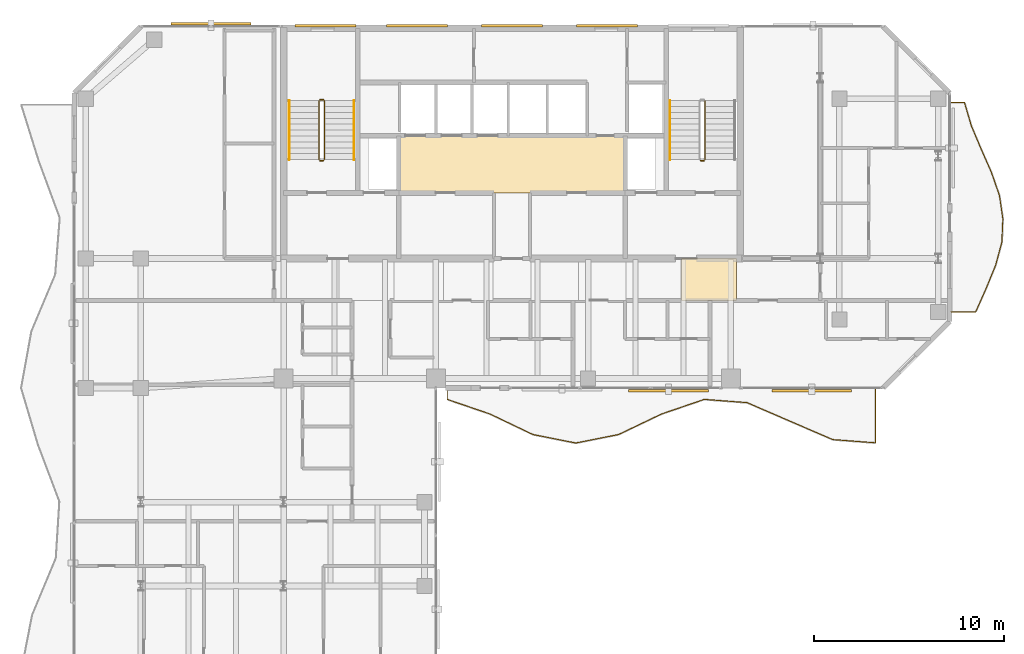
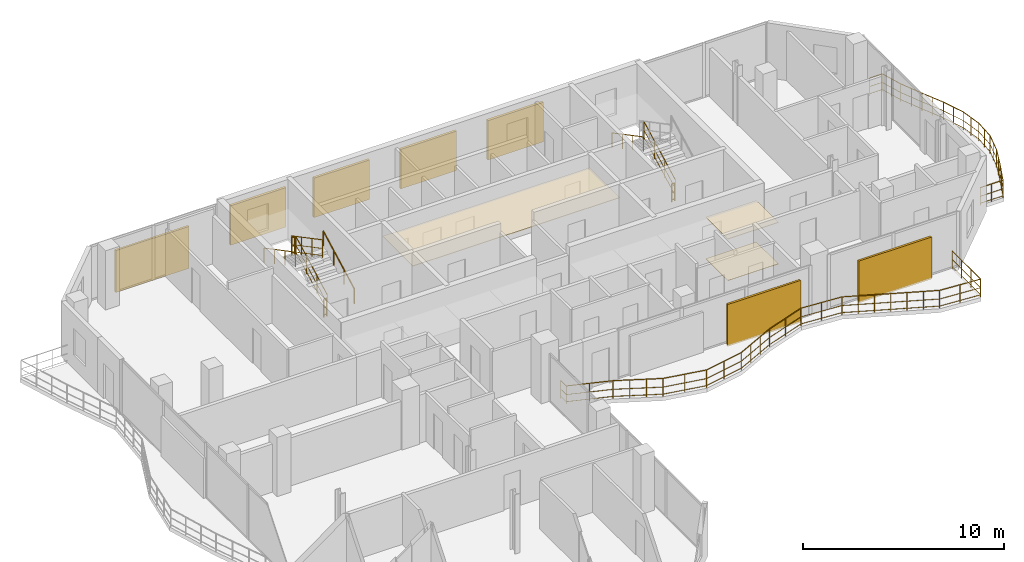
# One storey, part 22 of 23: 11 railings, 7 shading devices, 3 coverings.
"""IFC4 building model written with IfcOpenShell, lengths in metres."""

from ifc_helpers import new_model, si_unit, direction, frame, origin, origin_2d, place, context, subcontext, project, spatial, polyline, rectangle, circle, outline, extrude, material, layer, layer_set, type_object, element, save


model = new_model("IFC4")

# Units and contexts
model_context = context("Model", 3, precision=1e-05, world=origin(), true_north=direction((0.0, 1.0)))
body_context = subcontext(model_context, "Body", "Model", "MODEL_VIEW")
ifc_project = project(units=[si_unit("LENGTHUNIT", "METRE"), si_unit("AREAUNIT", "SQUARE_METRE"), si_unit("VOLUMEUNIT", "CUBIC_METRE"), si_unit("PLANEANGLEUNIT", "RADIAN"), si_unit("MASSUNIT", "GRAM", prefix="KILO")], contexts=[model_context])

# Site, building, storey
site_placement = place(None, origin())
site = spatial("IfcSite", under=ifc_project, at=site_placement, CompositionType="ELEMENT")
building_placement = place(site_placement, origin())
building = spatial("IfcBuilding", under=site, at=building_placement, Name="Catumbela Crestline Tower", CompositionType="ELEMENT")
storey_placement = place(building_placement, frame((0.0, 0.0, 183.0)))
storey = spatial("IfcBuildingStorey", under=building, at=storey_placement, Name="L47", CompositionType="ELEMENT", Elevation=183.0)

# Coverings
ifc_material_1 = material(Name="Mineral-fibre acoustic ceiling")
ifc_layer_1 = layer(ifc_material_1, 0.03, Name="Mineral-fibre acoustic ceiling")
ifc_layer_set_1 = layer_set([ifc_layer_1], Name="Mineral-fibre acoustic ceiling")
covering_type_1 = type_object("IfcCoveringType", Name="CC-AC", PredefinedType="CEILING", material=ifc_layer_set_1)
covering_1_placement = place(storey_placement, frame((0.0, 0.0, 2.65)))
element("IfcCovering", 1, at=covering_1_placement, inside=storey, type_object=covering_type_1, Name="L47 Lift Lobby Acoustic Ceiling", PredefinedType="CEILING", context=body_context, shape_type="SweptSolid", body=[
    extrude(outline(polyline([(22.05, 34.25), (33.95, 34.25), (33.95, 37.25), (22.05, 37.25), (22.05, 34.25)])), origin(), (0.0, 0.0, 1.0), 0.03),
])
covering_2_placement = place(storey_placement, frame((0.0, 0.0, 2.52)))
element("IfcCovering", 2, at=covering_2_placement, inside=storey, type_object=covering_type_1, Name="L47 Corridor Acoustic Ceiling Bay 8", PredefinedType="CEILING", context=body_context, shape_type="SweptSolid", body=[
    extrude(outline(polyline([(36.9, 28.6), (39.8, 28.6), (39.8, 30.8), (36.9, 30.8), (36.9, 28.6)])), origin(), (0.0, 0.0, 1.0), 0.03),
])
ifc_material_2 = material(Name="Angolan grey-ochre granite", Category="masonry")
ifc_layer_2 = layer(ifc_material_2, 0.025, Name="Angolan grey-ochre granite")
ifc_layer_set_2 = layer_set([ifc_layer_2], Name="Angolan grey-ochre granite")
covering_type_2 = type_object("IfcCoveringType", Name="CF-GR", PredefinedType="FLOORING", material=ifc_layer_set_2)
covering_3_placement = place(storey_placement, origin())
element("IfcCovering", 3, at=covering_3_placement, inside=storey, type_object=covering_type_2, Name="L47 Corridor Granite Flooring Bay 8", PredefinedType="FLOORING", context=body_context, shape_type="SweptSolid", body=[
    extrude(outline(polyline([(36.9, 28.6), (39.8, 28.6), (39.8, 30.8), (36.9, 30.8), (36.9, 28.6)])), origin(), (0.0, 0.0, 1.0), 0.025),
])

# Railings
ifc_material_3 = material(Name="Stainless steel EN 1.4401", Category="steel")
railing_type_1 = type_object("IfcRailingType", Name="RB-1100", PredefinedType="BALUSTRADE", material=ifc_material_3)
railing_1_placement = place(storey_placement, frame((24.6, 23.94, 0.0)))
element("IfcRailing", 4, at=railing_1_placement, inside=storey, type_object=railing_type_1, Name="L47 Private Wave Balcony Balustrade 1", PredefinedType="BALUSTRADE", context=body_context, shape_type="SweptSolid", body=[
    extrude(circle(Radius=0.024, at=origin_2d()), frame((0.0, 0.0, 1.076), z_axis=(0.0, -1.0, 0.0), x_axis=(1.0, 0.0, 0.0)), (0.0, 0.0, 1.0), 0.5387),
    extrude(circle(Radius=0.0156, at=origin_2d()), frame((0.0, 0.0, 0.55), z_axis=(0.0, -1.0, 0.0), x_axis=(1.0, 0.0, 0.0)), (0.0, 0.0, 1.0), 0.5387),
    extrude(circle(Radius=0.0156, at=origin_2d()), frame((0.0, 0.0, 0.12), z_axis=(0.0, -1.0, 0.0), x_axis=(1.0, 0.0, 0.0)), (0.0, 0.0, 1.0), 0.5387),
    extrude(circle(Radius=0.024, at=origin_2d()), frame((0.0, -0.5387, 1.076), z_axis=(0.946065665735, -0.323974931311, 0.0), x_axis=(0.323974931311, 0.946065665735, 0.0)), (0.0, 0.0, 1.0), 2.3783),
    extrude(circle(Radius=0.0156, at=origin_2d()), frame((0.0, -0.5387, 0.55), z_axis=(0.946065665735, -0.323974931311, 0.0), x_axis=(0.323974931311, 0.946065665735, 0.0)), (0.0, 0.0, 1.0), 2.3783),
    extrude(circle(Radius=0.0156, at=origin_2d()), frame((0.0, -0.5387, 0.12), z_axis=(0.946065665735, -0.323974931311, 0.0), x_axis=(0.323974931311, 0.946065665735, 0.0)), (0.0, 0.0, 1.0), 2.3783),
    extrude(circle(Radius=0.024, at=origin_2d()), frame((2.25, -1.3092, 1.076), z_axis=(0.902132186045, -0.431459753513, 0.0), x_axis=(0.431459753513, 0.902132186045, 0.0)), (0.0, 0.0, 1.0), 2.4941),
    extrude(circle(Radius=0.0156, at=origin_2d()), frame((2.25, -1.3092, 0.55), z_axis=(0.902132186045, -0.431459753513, 0.0), x_axis=(0.431459753513, 0.902132186045, 0.0)), (0.0, 0.0, 1.0), 2.4941),
    extrude(circle(Radius=0.0156, at=origin_2d()), frame((2.25, -1.3092, 0.12), z_axis=(0.902132186045, -0.431459753513, 0.0), x_axis=(0.431459753513, 0.902132186045, 0.0)), (0.0, 0.0, 1.0), 2.4941),
    extrude(circle(Radius=0.024, at=origin_2d()), frame((4.5, -2.3853, 1.076), z_axis=(0.981022553047, -0.193893657484, 0.0), x_axis=(0.193893657484, 0.981022553047, 0.0)), (0.0, 0.0, 1.0), 2.2935),
    extrude(circle(Radius=0.0156, at=origin_2d()), frame((4.5, -2.3853, 0.55), z_axis=(0.981022553047, -0.193893657484, 0.0), x_axis=(0.193893657484, 0.981022553047, 0.0)), (0.0, 0.0, 1.0), 2.2935),
    extrude(circle(Radius=0.0156, at=origin_2d()), frame((4.5, -2.3853, 0.12), z_axis=(0.981022553047, -0.193893657484, 0.0), x_axis=(0.193893657484, 0.981022553047, 0.0)), (0.0, 0.0, 1.0), 2.2935),
    extrude(circle(Radius=0.024, at=origin_2d()), frame((6.75, -2.83, 1.076), z_axis=(0.981022553047, 0.193893657484, 0.0), x_axis=(-0.193893657484, 0.981022553047, 0.0)), (0.0, 0.0, 1.0), 2.2935),
    extrude(circle(Radius=0.0156, at=origin_2d()), frame((6.75, -2.83, 0.55), z_axis=(0.981022553047, 0.193893657484, 0.0), x_axis=(-0.193893657484, 0.981022553047, 0.0)), (0.0, 0.0, 1.0), 2.2935),
    extrude(circle(Radius=0.0156, at=origin_2d()), frame((6.75, -2.83, 0.12), z_axis=(0.981022553047, 0.193893657484, 0.0), x_axis=(-0.193893657484, 0.981022553047, 0.0)), (0.0, 0.0, 1.0), 2.2935),
    extrude(circle(Radius=0.024, at=origin_2d()), frame((9.0, -2.3853, 1.076), z_axis=(0.902132186045, 0.431459753513, 0.0), x_axis=(-0.431459753513, 0.902132186045, 0.0)), (0.0, 0.0, 1.0), 2.4941),
    extrude(circle(Radius=0.0156, at=origin_2d()), frame((9.0, -2.3853, 0.55), z_axis=(0.902132186045, 0.431459753513, 0.0), x_axis=(-0.431459753513, 0.902132186045, 0.0)), (0.0, 0.0, 1.0), 2.4941),
    extrude(circle(Radius=0.0156, at=origin_2d()), frame((9.0, -2.3853, 0.12), z_axis=(0.902132186045, 0.431459753513, 0.0), x_axis=(-0.431459753513, 0.902132186045, 0.0)), (0.0, 0.0, 1.0), 2.4941),
    extrude(circle(Radius=0.024, at=origin_2d()), frame((11.25, -1.3092, 1.076), z_axis=(0.946065665735, 0.323974931311, 0.0), x_axis=(-0.323974931311, 0.946065665735, 0.0)), (0.0, 0.0, 1.0), 2.3783),
    extrude(circle(Radius=0.0156, at=origin_2d()), frame((11.25, -1.3092, 0.55), z_axis=(0.946065665735, 0.323974931311, 0.0), x_axis=(-0.323974931311, 0.946065665735, 0.0)), (0.0, 0.0, 1.0), 2.3783),
    extrude(circle(Radius=0.0156, at=origin_2d()), frame((11.25, -1.3092, 0.12), z_axis=(0.946065665735, 0.323974931311, 0.0), x_axis=(-0.323974931311, 0.946065665735, 0.0)), (0.0, 0.0, 1.0), 2.3783),
    extrude(circle(Radius=0.024, at=origin_2d()), frame((13.5, -0.5387, 1.076), z_axis=(0.997141170455, -0.075561142028, 0.0), x_axis=(0.075561142028, 0.997141170455, 0.0)), (0.0, 0.0, 1.0), 2.2565),
    extrude(circle(Radius=0.0156, at=origin_2d()), frame((13.5, -0.5387, 0.55), z_axis=(0.997141170455, -0.075561142028, 0.0), x_axis=(0.075561142028, 0.997141170455, 0.0)), (0.0, 0.0, 1.0), 2.2565),
    extrude(circle(Radius=0.0156, at=origin_2d()), frame((13.5, -0.5387, 0.12), z_axis=(0.997141170455, -0.075561142028, 0.0), x_axis=(0.075561142028, 0.997141170455, 0.0)), (0.0, 0.0, 1.0), 2.2565),
    extrude(circle(Radius=0.024, at=origin_2d()), frame((15.75, -0.7092, 1.076), z_axis=(0.918179780553, -0.396163969316, 0.0), x_axis=(0.396163969316, 0.918179780553, 0.0)), (0.0, 0.0, 1.0), 2.4505),
    extrude(circle(Radius=0.0156, at=origin_2d()), frame((15.75, -0.7092, 0.55), z_axis=(0.918179780553, -0.396163969316, 0.0), x_axis=(0.396163969316, 0.918179780553, 0.0)), (0.0, 0.0, 1.0), 2.4505),
    extrude(circle(Radius=0.0156, at=origin_2d()), frame((15.75, -0.7092, 0.12), z_axis=(0.918179780553, -0.396163969316, 0.0), x_axis=(0.396163969316, 0.918179780553, 0.0)), (0.0, 0.0, 1.0), 2.4505),
    extrude(circle(Radius=0.024, at=origin_2d()), frame((18.0, -1.68, 1.076), z_axis=(0.918179780553, -0.396163969316, 0.0), x_axis=(0.396163969316, 0.918179780553, 0.0)), (0.0, 0.0, 1.0), 2.4505),
    extrude(circle(Radius=0.0156, at=origin_2d()), frame((18.0, -1.68, 0.55), z_axis=(0.918179780553, -0.396163969316, 0.0), x_axis=(0.396163969316, 0.918179780553, 0.0)), (0.0, 0.0, 1.0), 2.4505),
    extrude(circle(Radius=0.0156, at=origin_2d()), frame((18.0, -1.68, 0.12), z_axis=(0.918179780553, -0.396163969316, 0.0), x_axis=(0.396163969316, 0.918179780553, 0.0)), (0.0, 0.0, 1.0), 2.4505),
    extrude(circle(Radius=0.024, at=origin_2d()), frame((20.25, -2.6508, 1.076), z_axis=(0.997141170455, -0.075561142028, 0.0), x_axis=(0.075561142028, 0.997141170455, 0.0)), (0.0, 0.0, 1.0), 2.2565),
    extrude(circle(Radius=0.0156, at=origin_2d()), frame((20.25, -2.6508, 0.55), z_axis=(0.997141170455, -0.075561142028, 0.0), x_axis=(0.075561142028, 0.997141170455, 0.0)), (0.0, 0.0, 1.0), 2.2565),
    extrude(circle(Radius=0.0156, at=origin_2d()), frame((20.25, -2.6508, 0.12), z_axis=(0.997141170455, -0.075561142028, 0.0), x_axis=(0.075561142028, 0.997141170455, 0.0)), (0.0, 0.0, 1.0), 2.2565),
    extrude(circle(Radius=0.024, at=origin_2d()), frame((22.5, -2.8213, 1.076), z_axis=(0.0, 1.0, 0.0), x_axis=(-1.0, 0.0, 0.0)), (0.0, 0.0, 1.0), 2.8213),
    extrude(circle(Radius=0.0156, at=origin_2d()), frame((22.5, -2.8213, 0.55), z_axis=(0.0, 1.0, 0.0), x_axis=(-1.0, 0.0, 0.0)), (0.0, 0.0, 1.0), 2.8213),
    extrude(circle(Radius=0.0156, at=origin_2d()), frame((22.5, -2.8213, 0.12), z_axis=(0.0, 1.0, 0.0), x_axis=(-1.0, 0.0, 0.0)), (0.0, 0.0, 1.0), 2.8213),
    extrude(circle(Radius=0.021, at=origin_2d()), origin(), (0.0, 0.0, 1.0), 1.052),
    extrude(circle(Radius=0.021, at=origin_2d()), frame((0.0, -0.5387, 0.0)), (0.0, 0.0, 1.0), 1.052),
    extrude(circle(Radius=0.021, at=origin_2d()), frame((1.125, -0.924, 0.0)), (0.0, 0.0, 1.0), 1.052),
    extrude(circle(Radius=0.021, at=origin_2d()), frame((2.25, -1.3092, 0.0)), (0.0, 0.0, 1.0), 1.052),
    extrude(circle(Radius=0.021, at=origin_2d()), frame((3.0, -1.6679, 0.0)), (0.0, 0.0, 1.0), 1.052),
    extrude(circle(Radius=0.021, at=origin_2d()), frame((3.75, -2.0266, 0.0)), (0.0, 0.0, 1.0), 1.052),
    extrude(circle(Radius=0.021, at=origin_2d()), frame((4.5, -2.3853, 0.0)), (0.0, 0.0, 1.0), 1.052),
    extrude(circle(Radius=0.021, at=origin_2d()), frame((5.625, -2.6077, 0.0)), (0.0, 0.0, 1.0), 1.052),
    extrude(circle(Radius=0.021, at=origin_2d()), frame((6.75, -2.83, 0.0)), (0.0, 0.0, 1.0), 1.052),
    extrude(circle(Radius=0.021, at=origin_2d()), frame((7.875, -2.6077, 0.0)), (0.0, 0.0, 1.0), 1.052),
    extrude(circle(Radius=0.021, at=origin_2d()), frame((9.0, -2.3853, 0.0)), (0.0, 0.0, 1.0), 1.052),
    extrude(circle(Radius=0.021, at=origin_2d()), frame((9.75, -2.0266, 0.0)), (0.0, 0.0, 1.0), 1.052),
    extrude(circle(Radius=0.021, at=origin_2d()), frame((10.5, -1.6679, 0.0)), (0.0, 0.0, 1.0), 1.052),
    extrude(circle(Radius=0.021, at=origin_2d()), frame((11.25, -1.3092, 0.0)), (0.0, 0.0, 1.0), 1.052),
    extrude(circle(Radius=0.021, at=origin_2d()), frame((12.375, -0.924, 0.0)), (0.0, 0.0, 1.0), 1.052),
    extrude(circle(Radius=0.021, at=origin_2d()), frame((13.5, -0.5387, 0.0)), (0.0, 0.0, 1.0), 1.052),
    extrude(circle(Radius=0.021, at=origin_2d()), frame((14.625, -0.624, 0.0)), (0.0, 0.0, 1.0), 1.052),
    extrude(circle(Radius=0.021, at=origin_2d()), frame((15.75, -0.7092, 0.0)), (0.0, 0.0, 1.0), 1.052),
    extrude(circle(Radius=0.021, at=origin_2d()), frame((16.5, -1.0328, 0.0)), (0.0, 0.0, 1.0), 1.052),
    extrude(circle(Radius=0.021, at=origin_2d()), frame((17.25, -1.3564, 0.0)), (0.0, 0.0, 1.0), 1.052),
    extrude(circle(Radius=0.021, at=origin_2d()), frame((18.0, -1.68, 0.0)), (0.0, 0.0, 1.0), 1.052),
    extrude(circle(Radius=0.021, at=origin_2d()), frame((18.75, -2.0036, 0.0)), (0.0, 0.0, 1.0), 1.052),
    extrude(circle(Radius=0.021, at=origin_2d()), frame((19.5, -2.3272, 0.0)), (0.0, 0.0, 1.0), 1.052),
    extrude(circle(Radius=0.021, at=origin_2d()), frame((20.25, -2.6508, 0.0)), (0.0, 0.0, 1.0), 1.052),
    extrude(circle(Radius=0.021, at=origin_2d()), frame((21.375, -2.7361, 0.0)), (0.0, 0.0, 1.0), 1.052),
    extrude(circle(Radius=0.021, at=origin_2d()), frame((22.5, -2.8213, 0.0)), (0.0, 0.0, 1.0), 1.052),
    extrude(circle(Radius=0.021, at=origin_2d()), frame((22.5, -1.8809, 0.0)), (0.0, 0.0, 1.0), 1.052),
    extrude(circle(Radius=0.021, at=origin_2d()), frame((22.5, -0.9404, 0.0)), (0.0, 0.0, 1.0), 1.052),
    extrude(circle(Radius=0.021, at=origin_2d()), frame((22.5, 0.0, 0.0)), (0.0, 0.0, 1.0), 1.052),
])
railing_2_placement = place(storey_placement, frame((51.06, 28.0, 0.0)))
element("IfcRailing", 5, at=railing_2_placement, inside=storey, type_object=railing_type_1, Name="L47 Private Wave Balcony Balustrade 2", PredefinedType="BALUSTRADE", context=body_context, shape_type="SweptSolid", body=[
    extrude(circle(Radius=0.024, at=origin_2d()), frame((0.0, 0.0, 1.076), z_axis=(1.0, 0.0, 0.0), x_axis=(0.0, 1.0, 0.0)), (0.0, 0.0, 1.0), 1.3029),
    extrude(circle(Radius=0.0156, at=origin_2d()), frame((0.0, 0.0, 0.55), z_axis=(1.0, 0.0, 0.0), x_axis=(0.0, 1.0, 0.0)), (0.0, 0.0, 1.0), 1.3029),
    extrude(circle(Radius=0.0156, at=origin_2d()), frame((0.0, 0.0, 0.12), z_axis=(1.0, 0.0, 0.0), x_axis=(0.0, 1.0, 0.0)), (0.0, 0.0, 1.0), 1.3029),
    extrude(circle(Radius=0.024, at=origin_2d()), frame((1.3029, 0.0, 1.076), z_axis=(0.406762530964, 0.913533931173, 0.0), x_axis=(-0.913533931173, 0.406762530964, 0.0)), (0.0, 0.0, 1.0), 1.3379),
    extrude(circle(Radius=0.0156, at=origin_2d()), frame((1.3029, 0.0, 0.55), z_axis=(0.406762530964, 0.913533931173, 0.0), x_axis=(-0.913533931173, 0.406762530964, 0.0)), (0.0, 0.0, 1.0), 1.3379),
    extrude(circle(Radius=0.0156, at=origin_2d()), frame((1.3029, 0.0, 0.12), z_axis=(0.406762530964, 0.913533931173, 0.0), x_axis=(-0.913533931173, 0.406762530964, 0.0)), (0.0, 0.0, 1.0), 1.3379),
    extrude(circle(Radius=0.024, at=origin_2d()), frame((1.8471, 1.2222, 1.076), z_axis=(0.379481592709, 0.92519928707, 0.0), x_axis=(-0.92519928707, 0.379481592709, 0.0)), (0.0, 0.0, 1.0), 1.321),
    extrude(circle(Radius=0.0156, at=origin_2d()), frame((1.8471, 1.2222, 0.55), z_axis=(0.379481592709, 0.92519928707, 0.0), x_axis=(-0.92519928707, 0.379481592709, 0.0)), (0.0, 0.0, 1.0), 1.321),
    extrude(circle(Radius=0.0156, at=origin_2d()), frame((1.8471, 1.2222, 0.12), z_axis=(0.379481592709, 0.92519928707, 0.0), x_axis=(-0.92519928707, 0.379481592709, 0.0)), (0.0, 0.0, 1.0), 1.321),
    extrude(circle(Radius=0.024, at=origin_2d()), frame((2.3484, 2.4444, 1.076), z_axis=(0.260576771325, 0.96545313001, 0.0), x_axis=(-0.96545313001, 0.260576771325, 0.0)), (0.0, 0.0, 1.0), 1.266),
    extrude(circle(Radius=0.0156, at=origin_2d()), frame((2.3484, 2.4444, 0.55), z_axis=(0.260576771325, 0.96545313001, 0.0), x_axis=(-0.96545313001, 0.260576771325, 0.0)), (0.0, 0.0, 1.0), 1.266),
    extrude(circle(Radius=0.0156, at=origin_2d()), frame((2.3484, 2.4444, 0.12), z_axis=(0.260576771325, 0.96545313001, 0.0), x_axis=(-0.96545313001, 0.260576771325, 0.0)), (0.0, 0.0, 1.0), 1.266),
    extrude(circle(Radius=0.024, at=origin_2d()), frame((2.6783, 3.6667, 1.076), z_axis=(0.042262974271, 0.999106521351, 0.0), x_axis=(-0.999106521351, 0.042262974271, 0.0)), (0.0, 0.0, 1.0), 1.2233),
    extrude(circle(Radius=0.0156, at=origin_2d()), frame((2.6783, 3.6667, 0.55), z_axis=(0.042262974271, 0.999106521351, 0.0), x_axis=(-0.999106521351, 0.042262974271, 0.0)), (0.0, 0.0, 1.0), 1.2233),
    extrude(circle(Radius=0.0156, at=origin_2d()), frame((2.6783, 3.6667, 0.12), z_axis=(0.042262974271, 0.999106521351, 0.0), x_axis=(-0.999106521351, 0.042262974271, 0.0)), (0.0, 0.0, 1.0), 1.2233),
    extrude(circle(Radius=0.024, at=origin_2d()), frame((2.73, 4.8889, 1.076), z_axis=(-0.144752783566, 0.989467852762, 0.0), x_axis=(-0.989467852762, -0.144752783566, 0.0)), (0.0, 0.0, 1.0), 1.2352),
    extrude(circle(Radius=0.0156, at=origin_2d()), frame((2.73, 4.8889, 0.55), z_axis=(-0.144752783566, 0.989467852762, 0.0), x_axis=(-0.989467852762, -0.144752783566, 0.0)), (0.0, 0.0, 1.0), 1.2352),
    extrude(circle(Radius=0.0156, at=origin_2d()), frame((2.73, 4.8889, 0.12), z_axis=(-0.144752783566, 0.989467852762, 0.0), x_axis=(-0.989467852762, -0.144752783566, 0.0)), (0.0, 0.0, 1.0), 1.2352),
    extrude(circle(Radius=0.024, at=origin_2d()), frame((2.5512, 6.1111, 1.076), z_axis=(-0.328097905892, 0.944643723395, 0.0), x_axis=(-0.944643723395, -0.328097905892, 0.0)), (0.0, 0.0, 1.0), 1.2938),
    extrude(circle(Radius=0.0156, at=origin_2d()), frame((2.5512, 6.1111, 0.55), z_axis=(-0.328097905892, 0.944643723395, 0.0), x_axis=(-0.944643723395, -0.328097905892, 0.0)), (0.0, 0.0, 1.0), 1.2938),
    extrude(circle(Radius=0.0156, at=origin_2d()), frame((2.5512, 6.1111, 0.12), z_axis=(-0.328097905892, 0.944643723395, 0.0), x_axis=(-0.944643723395, -0.328097905892, 0.0)), (0.0, 0.0, 1.0), 1.2938),
    extrude(circle(Radius=0.024, at=origin_2d()), frame((2.1267, 7.3333, 1.076), z_axis=(-0.403420872886, 0.915014535032, 0.0), x_axis=(-0.915014535032, -0.403420872886, 0.0)), (0.0, 0.0, 1.0), 1.3358),
    extrude(circle(Radius=0.0156, at=origin_2d()), frame((2.1267, 7.3333, 0.55), z_axis=(-0.403420872886, 0.915014535032, 0.0), x_axis=(-0.915014535032, -0.403420872886, 0.0)), (0.0, 0.0, 1.0), 1.3358),
    extrude(circle(Radius=0.0156, at=origin_2d()), frame((2.1267, 7.3333, 0.12), z_axis=(-0.403420872886, 0.915014535032, 0.0), x_axis=(-0.915014535032, -0.403420872886, 0.0)), (0.0, 0.0, 1.0), 1.3358),
    extrude(circle(Radius=0.024, at=origin_2d()), frame((1.5878, 8.5556, 1.076), z_axis=(-0.388562501321, 0.921422369257, 0.0), x_axis=(-0.921422369257, -0.388562501321, 0.0)), (0.0, 0.0, 1.0), 1.3264),
    extrude(circle(Radius=0.0156, at=origin_2d()), frame((1.5878, 8.5556, 0.55), z_axis=(-0.388562501321, 0.921422369257, 0.0), x_axis=(-0.921422369257, -0.388562501321, 0.0)), (0.0, 0.0, 1.0), 1.3264),
    extrude(circle(Radius=0.0156, at=origin_2d()), frame((1.5878, 8.5556, 0.12), z_axis=(-0.388562501321, 0.921422369257, 0.0), x_axis=(-0.921422369257, -0.388562501321, 0.0)), (0.0, 0.0, 1.0), 1.3264),
    extrude(circle(Radius=0.024, at=origin_2d()), frame((1.0724, 9.7778, 1.076), z_axis=(-0.282187572422, 0.959359251777, 0.0), x_axis=(-0.959359251777, -0.282187572422, 0.0)), (0.0, 0.0, 1.0), 1.274),
    extrude(circle(Radius=0.0156, at=origin_2d()), frame((1.0724, 9.7778, 0.55), z_axis=(-0.282187572422, 0.959359251777, 0.0), x_axis=(-0.959359251777, -0.282187572422, 0.0)), (0.0, 0.0, 1.0), 1.274),
    extrude(circle(Radius=0.0156, at=origin_2d()), frame((1.0724, 9.7778, 0.12), z_axis=(-0.282187572422, 0.959359251777, 0.0), x_axis=(-0.959359251777, -0.282187572422, 0.0)), (0.0, 0.0, 1.0), 1.274),
    extrude(circle(Radius=0.024, at=origin_2d()), frame((0.7129, 11.0, 1.076), z_axis=(-1.0, 0.0, 0.0), x_axis=(0.0, -1.0, 0.0)), (0.0, 0.0, 1.0), 0.7129),
    extrude(circle(Radius=0.0156, at=origin_2d()), frame((0.7129, 11.0, 0.55), z_axis=(-1.0, 0.0, 0.0), x_axis=(0.0, -1.0, 0.0)), (0.0, 0.0, 1.0), 0.7129),
    extrude(circle(Radius=0.0156, at=origin_2d()), frame((0.7129, 11.0, 0.12), z_axis=(-1.0, 0.0, 0.0), x_axis=(0.0, -1.0, 0.0)), (0.0, 0.0, 1.0), 0.7129),
    extrude(circle(Radius=0.021, at=origin_2d()), origin(), (0.0, 0.0, 1.0), 1.052),
    extrude(circle(Radius=0.021, at=origin_2d()), frame((0.6515, 0.0, 0.0)), (0.0, 0.0, 1.0), 1.052),
    extrude(circle(Radius=0.021, at=origin_2d()), frame((1.3029, 0.0, 0.0)), (0.0, 0.0, 1.0), 1.052),
    extrude(circle(Radius=0.021, at=origin_2d()), frame((1.575, 0.6111, 0.0)), (0.0, 0.0, 1.0), 1.052),
    extrude(circle(Radius=0.021, at=origin_2d()), frame((1.8471, 1.2222, 0.0)), (0.0, 0.0, 1.0), 1.052),
    extrude(circle(Radius=0.021, at=origin_2d()), frame((2.0977, 1.8333, 0.0)), (0.0, 0.0, 1.0), 1.052),
    extrude(circle(Radius=0.021, at=origin_2d()), frame((2.3484, 2.4444, 0.0)), (0.0, 0.0, 1.0), 1.052),
    extrude(circle(Radius=0.021, at=origin_2d()), frame((2.5133, 3.0556, 0.0)), (0.0, 0.0, 1.0), 1.052),
    extrude(circle(Radius=0.021, at=origin_2d()), frame((2.6783, 3.6667, 0.0)), (0.0, 0.0, 1.0), 1.052),
    extrude(circle(Radius=0.021, at=origin_2d()), frame((2.7041, 4.2778, 0.0)), (0.0, 0.0, 1.0), 1.052),
    extrude(circle(Radius=0.021, at=origin_2d()), frame((2.73, 4.8889, 0.0)), (0.0, 0.0, 1.0), 1.052),
    extrude(circle(Radius=0.021, at=origin_2d()), frame((2.6406, 5.5, 0.0)), (0.0, 0.0, 1.0), 1.052),
    extrude(circle(Radius=0.021, at=origin_2d()), frame((2.5512, 6.1111, 0.0)), (0.0, 0.0, 1.0), 1.052),
    extrude(circle(Radius=0.021, at=origin_2d()), frame((2.3389, 6.7222, 0.0)), (0.0, 0.0, 1.0), 1.052),
    extrude(circle(Radius=0.021, at=origin_2d()), frame((2.1267, 7.3333, 0.0)), (0.0, 0.0, 1.0), 1.052),
    extrude(circle(Radius=0.021, at=origin_2d()), frame((1.8572, 7.9444, 0.0)), (0.0, 0.0, 1.0), 1.052),
    extrude(circle(Radius=0.021, at=origin_2d()), frame((1.5878, 8.5556, 0.0)), (0.0, 0.0, 1.0), 1.052),
    extrude(circle(Radius=0.021, at=origin_2d()), frame((1.3301, 9.1667, 0.0)), (0.0, 0.0, 1.0), 1.052),
    extrude(circle(Radius=0.021, at=origin_2d()), frame((1.0724, 9.7778, 0.0)), (0.0, 0.0, 1.0), 1.052),
    extrude(circle(Radius=0.021, at=origin_2d()), frame((0.8926, 10.3889, 0.0)), (0.0, 0.0, 1.0), 1.052),
    extrude(circle(Radius=0.021, at=origin_2d()), frame((0.7129, 11.0, 0.0)), (0.0, 0.0, 1.0), 1.052),
    extrude(circle(Radius=0.021, at=origin_2d()), frame((0.0, 11.0, 0.0)), (0.0, 0.0, 1.0), 1.052),
])
railing_type_2 = type_object("IfcRailingType", Name="RG-1100", PredefinedType="GUARDRAIL", material=ifc_material_3)
railing_3_placement = place(storey_placement, frame((18.14, 36.0, 0.1636)))
element("IfcRailing", 6, at=railing_3_placement, inside=storey, type_object=railing_type_2, Name="L47 ST-01 stair guard 1", PredefinedType="GUARDRAIL", context=body_context, shape_type="SweptSolid", body=[
    extrude(circle(Radius=0.024, at=origin_2d()), frame((0.0, 0.0, 1.076), z_axis=(0.0, 0.884350731049, 0.466823076222), x_axis=(-1.0, 0.0, 0.0)), (0.0, 0.0, 1.0), 3.5054),
    extrude(circle(Radius=0.0156, at=origin_2d()), frame((0.0, 0.0, 0.55), z_axis=(0.0, 0.884350731049, 0.466823076222), x_axis=(-1.0, 0.0, 0.0)), (0.0, 0.0, 1.0), 3.5054),
    extrude(circle(Radius=0.0156, at=origin_2d()), frame((0.0, 0.0, 0.12), z_axis=(0.0, 0.884350731049, 0.466823076222), x_axis=(-1.0, 0.0, 0.0)), (0.0, 0.0, 1.0), 3.5054),
    extrude(circle(Radius=0.021, at=origin_2d()), origin(), (0.0, 0.0, 1.0), 1.052),
    extrude(circle(Radius=0.021, at=origin_2d()), frame((0.0, 1.0333, 0.5455)), (0.0, 0.0, 1.0), 1.052),
    extrude(circle(Radius=0.021, at=origin_2d()), frame((0.0, 2.0667, 1.0909)), (0.0, 0.0, 1.0), 1.052),
    extrude(circle(Radius=0.021, at=origin_2d()), frame((0.0, 3.1, 1.6364)), (0.0, 0.0, 1.0), 1.052),
])
railing_4_placement = place(storey_placement, frame((18.09, 39.15, 1.8)))
element("IfcRailing", 7, at=railing_4_placement, inside=storey, type_object=railing_type_2, Name="L47 ST-01 stair guard 2", PredefinedType="GUARDRAIL", context=body_context, shape_type="SweptSolid", body=[
    extrude(circle(Radius=0.024, at=origin_2d()), frame((0.0, 0.0, 1.076), z_axis=(-1.0, 0.0, 0.0), x_axis=(0.0, -1.0, 0.0)), (0.0, 0.0, 1.0), 0.18),
    extrude(circle(Radius=0.0156, at=origin_2d()), frame((0.0, 0.0, 0.55), z_axis=(-1.0, 0.0, 0.0), x_axis=(0.0, -1.0, 0.0)), (0.0, 0.0, 1.0), 0.18),
    extrude(circle(Radius=0.0156, at=origin_2d()), frame((0.0, 0.0, 0.12), z_axis=(-1.0, 0.0, 0.0), x_axis=(0.0, -1.0, 0.0)), (0.0, 0.0, 1.0), 0.18),
    extrude(circle(Radius=0.021, at=origin_2d()), origin(), (0.0, 0.0, 1.0), 1.052),
    extrude(circle(Radius=0.021, at=origin_2d()), frame((-0.18, 0.0, 0.0)), (0.0, 0.0, 1.0), 1.052),
])
railing_5_placement = place(storey_placement, frame((17.86, 39.1, 1.9636)))
element("IfcRailing", 8, at=railing_5_placement, inside=storey, type_object=railing_type_2, Name="L47 ST-01 stair guard 3", PredefinedType="GUARDRAIL", context=body_context, shape_type="SweptSolid", body=[
    extrude(circle(Radius=0.024, at=origin_2d()), frame((0.0, 0.0, 1.076), z_axis=(0.0, -0.884350731049, 0.466823076222), x_axis=(1.0, 0.0, 0.0)), (0.0, 0.0, 1.0), 3.5054),
    extrude(circle(Radius=0.0156, at=origin_2d()), frame((0.0, 0.0, 0.55), z_axis=(0.0, -0.884350731049, 0.466823076222), x_axis=(1.0, 0.0, 0.0)), (0.0, 0.0, 1.0), 3.5054),
    extrude(circle(Radius=0.0156, at=origin_2d()), frame((0.0, 0.0, 0.12), z_axis=(0.0, -0.884350731049, 0.466823076222), x_axis=(1.0, 0.0, 0.0)), (0.0, 0.0, 1.0), 3.5054),
    extrude(circle(Radius=0.021, at=origin_2d()), origin(), (0.0, 0.0, 1.0), 1.052),
    extrude(circle(Radius=0.021, at=origin_2d()), frame((0.0, -1.0333, 0.5455)), (0.0, 0.0, 1.0), 1.052),
    extrude(circle(Radius=0.021, at=origin_2d()), frame((0.0, -2.0667, 1.0909)), (0.0, 0.0, 1.0), 1.052),
    extrude(circle(Radius=0.021, at=origin_2d()), frame((0.0, -3.1, 1.6364)), (0.0, 0.0, 1.0), 1.052),
])
railing_6_placement = place(storey_placement, frame((18.09, 35.95, 0.0)))
element("IfcRailing", 9, at=railing_6_placement, inside=storey, type_object=railing_type_2, Name="L47 ST-01 stair guard 4", PredefinedType="GUARDRAIL", context=body_context, shape_type="SweptSolid", body=[
    extrude(circle(Radius=0.024, at=origin_2d()), frame((0.0, 0.0, 1.076), z_axis=(-1.0, 0.0, 0.0), x_axis=(0.0, -1.0, 0.0)), (0.0, 0.0, 1.0), 0.18),
    extrude(circle(Radius=0.0156, at=origin_2d()), frame((0.0, 0.0, 0.55), z_axis=(-1.0, 0.0, 0.0), x_axis=(0.0, -1.0, 0.0)), (0.0, 0.0, 1.0), 0.18),
    extrude(circle(Radius=0.0156, at=origin_2d()), frame((0.0, 0.0, 0.12), z_axis=(-1.0, 0.0, 0.0), x_axis=(0.0, -1.0, 0.0)), (0.0, 0.0, 1.0), 0.18),
    extrude(circle(Radius=0.021, at=origin_2d()), origin(), (0.0, 0.0, 1.0), 1.052),
    extrude(circle(Radius=0.021, at=origin_2d()), frame((-0.18, 0.0, 0.0)), (0.0, 0.0, 1.0), 1.052),
])
railing_7_placement = place(storey_placement, frame((38.14, 36.0, 0.1636)))
element("IfcRailing", 10, at=railing_7_placement, inside=storey, type_object=railing_type_2, Name="L47 ST-02 stair guard 1", PredefinedType="GUARDRAIL", context=body_context, shape_type="SweptSolid", body=[
    extrude(circle(Radius=0.024, at=origin_2d()), frame((0.0, 0.0, 1.076), z_axis=(0.0, 0.884350731049, 0.466823076222), x_axis=(-1.0, 0.0, 0.0)), (0.0, 0.0, 1.0), 3.5054),
    extrude(circle(Radius=0.0156, at=origin_2d()), frame((0.0, 0.0, 0.55), z_axis=(0.0, 0.884350731049, 0.466823076222), x_axis=(-1.0, 0.0, 0.0)), (0.0, 0.0, 1.0), 3.5054),
    extrude(circle(Radius=0.0156, at=origin_2d()), frame((0.0, 0.0, 0.12), z_axis=(0.0, 0.884350731049, 0.466823076222), x_axis=(-1.0, 0.0, 0.0)), (0.0, 0.0, 1.0), 3.5054),
    extrude(circle(Radius=0.021, at=origin_2d()), origin(), (0.0, 0.0, 1.0), 1.052),
    extrude(circle(Radius=0.021, at=origin_2d()), frame((0.0, 1.0333, 0.5455)), (0.0, 0.0, 1.0), 1.052),
    extrude(circle(Radius=0.021, at=origin_2d()), frame((0.0, 2.0667, 1.0909)), (0.0, 0.0, 1.0), 1.052),
    extrude(circle(Radius=0.021, at=origin_2d()), frame((0.0, 3.1, 1.6364)), (0.0, 0.0, 1.0), 1.052),
])
railing_8_placement = place(storey_placement, frame((38.09, 35.95, 0.0)))
element("IfcRailing", 11, at=railing_8_placement, inside=storey, type_object=railing_type_2, Name="L47 ST-02 stair guard 4", PredefinedType="GUARDRAIL", context=body_context, shape_type="SweptSolid", body=[
    extrude(circle(Radius=0.024, at=origin_2d()), frame((0.0, 0.0, 1.076), z_axis=(-1.0, 0.0, 0.0), x_axis=(0.0, -1.0, 0.0)), (0.0, 0.0, 1.0), 0.18),
    extrude(circle(Radius=0.0156, at=origin_2d()), frame((0.0, 0.0, 0.55), z_axis=(-1.0, 0.0, 0.0), x_axis=(0.0, -1.0, 0.0)), (0.0, 0.0, 1.0), 0.18),
    extrude(circle(Radius=0.0156, at=origin_2d()), frame((0.0, 0.0, 0.12), z_axis=(-1.0, 0.0, 0.0), x_axis=(0.0, -1.0, 0.0)), (0.0, 0.0, 1.0), 0.18),
    extrude(circle(Radius=0.021, at=origin_2d()), origin(), (0.0, 0.0, 1.0), 1.052),
    extrude(circle(Radius=0.021, at=origin_2d()), frame((-0.18, 0.0, 0.0)), (0.0, 0.0, 1.0), 1.052),
])
railing_type_3 = type_object("IfcRailingType", Name="RH-0900", PredefinedType="HANDRAIL", material=ifc_material_3)
railing_9_placement = place(storey_placement, frame((19.7, 36.0, 0.1636)))
element("IfcRailing", 12, at=railing_9_placement, inside=storey, type_object=railing_type_3, Name="L47 ST-01 stair handrail 1", PredefinedType="HANDRAIL", context=body_context, shape_type="SweptSolid", body=[
    extrude(circle(Radius=0.024, at=origin_2d()), frame((0.0, 0.0, 0.876), z_axis=(0.0, 0.884350731049, 0.466823076222), x_axis=(-1.0, 0.0, 0.0)), (0.0, 0.0, 1.0), 3.5054),
    extrude(circle(Radius=0.021, at=origin_2d()), origin(), (0.0, 0.0, 1.0), 0.852),
    extrude(circle(Radius=0.021, at=origin_2d()), frame((0.0, 1.0333, 0.5455)), (0.0, 0.0, 1.0), 0.852),
    extrude(circle(Radius=0.021, at=origin_2d()), frame((0.0, 2.0667, 1.0909)), (0.0, 0.0, 1.0), 0.852),
    extrude(circle(Radius=0.021, at=origin_2d()), frame((0.0, 3.1, 1.6364)), (0.0, 0.0, 1.0), 0.852),
])
for number, where, name in (
    (13, (16.3, 39.1, 1.9636), "L47 ST-01 stair handrail 2"),
    (14, (36.3, 39.1, 1.9636), "L47 ST-02 stair handrail 2"),
):
    element("IfcRailing", number, at=place(storey_placement, frame(where)), inside=storey, type_object=railing_type_3, Name=name, PredefinedType="HANDRAIL", context=body_context, shape_type="SweptSolid", body=[
        extrude(circle(Radius=0.024, at=origin_2d()), frame((0.0, 0.0, 0.876), z_axis=(0.0, -0.884350731049, 0.466823076222), x_axis=(1.0, 0.0, 0.0)), (0.0, 0.0, 1.0), 3.5054),
        extrude(circle(Radius=0.021, at=origin_2d()), origin(), (0.0, 0.0, 1.0), 0.852),
        extrude(circle(Radius=0.021, at=origin_2d()), frame((0.0, -1.0333, 0.5455)), (0.0, 0.0, 1.0), 0.852),
        extrude(circle(Radius=0.021, at=origin_2d()), frame((0.0, -2.0667, 1.0909)), (0.0, 0.0, 1.0), 0.852),
        extrude(circle(Radius=0.021, at=origin_2d()), frame((0.0, -3.1, 1.6364)), (0.0, 0.0, 1.0), 0.852),
    ])

# Shading devices
ifc_material_4 = material(Name="Extruded terracotta ceramic", Category="masonry")
shading_device_type_1 = type_object("IfcShadingDeviceType", Name="ST-180", PredefinedType="USERDEFINED", material=ifc_material_4)
for number, where, z_axis, x_axis, name in (
    (15, (18.2, 43.04, 0.55), (0.0, 0.0, 1.0), (1.0, 0.0, 0.0), "L47 Rear Core Terracotta Brise-Soleil Screen 539"),
    (16, (33.0, 43.04, 0.55), (0.0, 0.0, 1.0), (1.0, 0.0, 0.0), "L47 Rear Core Terracotta Brise-Soleil Screen 542"),
):
    element("IfcShadingDevice", number, at=place(storey_placement, frame(where, z_axis=z_axis, x_axis=x_axis)), inside=storey, type_object=shading_device_type_1, Name=name, ObjectType="SCREEN", PredefinedType="USERDEFINED", context=body_context, shape_type="SweptSolid", body=[
        extrude(rectangle(XDim=3.2, YDim=0.14, at=origin_2d()), origin(), (0.0, 0.0, 1.0), 2.4),
    ])
shading_device_type_2 = type_object("IfcShadingDeviceType", Name="ST-260", PredefinedType="USERDEFINED", material=ifc_material_4)
shading_device_1_placement = place(storey_placement, frame((28.0, 43.04, 0.55), z_axis=(0.0, 0.0, 1.0), x_axis=(1.0, 0.0, 0.0)))
element("IfcShadingDevice", 17, at=shading_device_1_placement, inside=storey, type_object=shading_device_type_2, Name="L47 Rear Core Terracotta Brise-Soleil Screen 541", ObjectType="SCREEN", PredefinedType="USERDEFINED", context=body_context, shape_type="SweptSolid", body=[
    extrude(rectangle(XDim=3.2, YDim=0.14, at=origin_2d()), origin(), (0.0, 0.0, 1.0), 2.4),
])
for number, where, z_axis, x_axis, name in (
    (18, (36.2125, 23.857, -0.1), (0.0, 0.0, 1.0), (1.0, 0.0, 0.0), "L47 Perforated Terracotta Solar Screen 548 (260 mm)"),
    (19, (43.75, 23.857, -0.1), (0.0, 0.0, 1.0), (1.0, 0.0, 0.0), "L47 Perforated Terracotta Solar Screen 549 (260 mm)"),
    (20, (12.18, 43.143, -0.1), (0.0, 0.0, 1.0), (-1.0, 0.0, 0.0), "L47 Perforated Terracotta Solar Screen 552 (260 mm)"),
):
    element("IfcShadingDevice", number, at=place(storey_placement, frame(where, z_axis=z_axis, x_axis=x_axis)), inside=storey, type_object=shading_device_type_2, Name=name, ObjectType="SCREEN", PredefinedType="USERDEFINED", context=body_context, shape_type="SweptSolid", body=[
        extrude(rectangle(XDim=4.2, YDim=0.12, at=origin_2d()), origin(), (0.0, 0.0, 1.0), 2.55),
    ])
shading_device_type_3 = type_object("IfcShadingDeviceType", Name="ST-340", PredefinedType="USERDEFINED", material=ifc_material_4)
shading_device_2_placement = place(storey_placement, frame((23.0, 43.04, 0.55), z_axis=(0.0, 0.0, 1.0), x_axis=(1.0, 0.0, 0.0)))
element("IfcShadingDevice", 21, at=shading_device_2_placement, inside=storey, type_object=shading_device_type_3, Name="L47 Rear Core Terracotta Brise-Soleil Screen 540", ObjectType="SCREEN", PredefinedType="USERDEFINED", context=body_context, shape_type="SweptSolid", body=[
    extrude(rectangle(XDim=3.2, YDim=0.14, at=origin_2d()), origin(), (0.0, 0.0, 1.0), 2.4),
])

save(model, "model.ifc")
